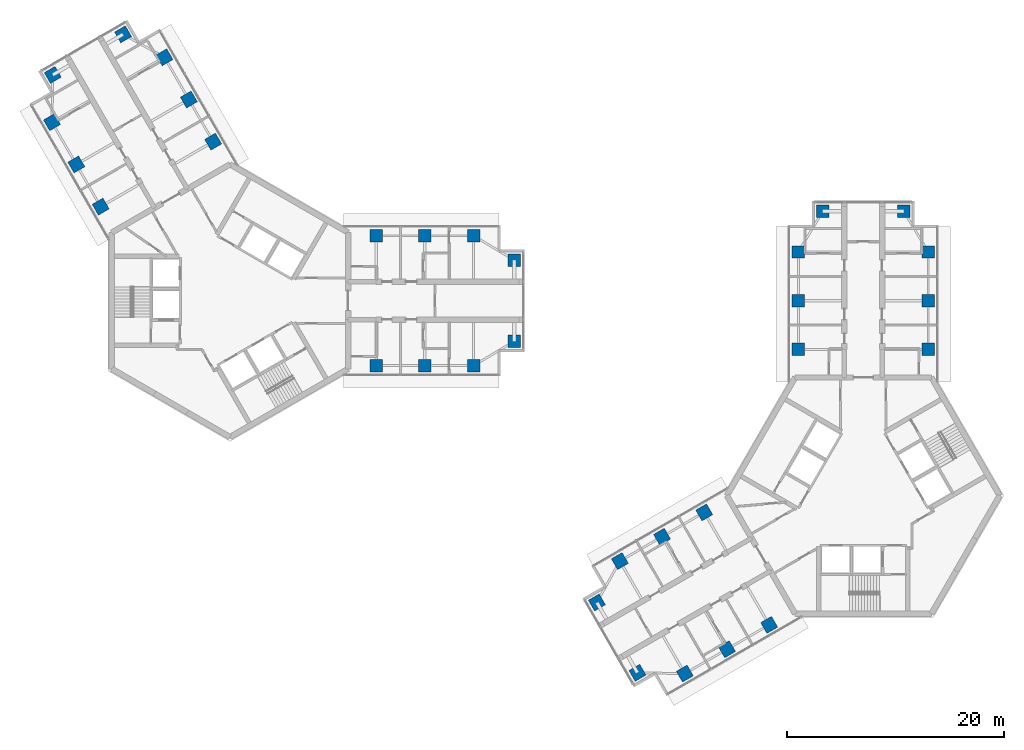
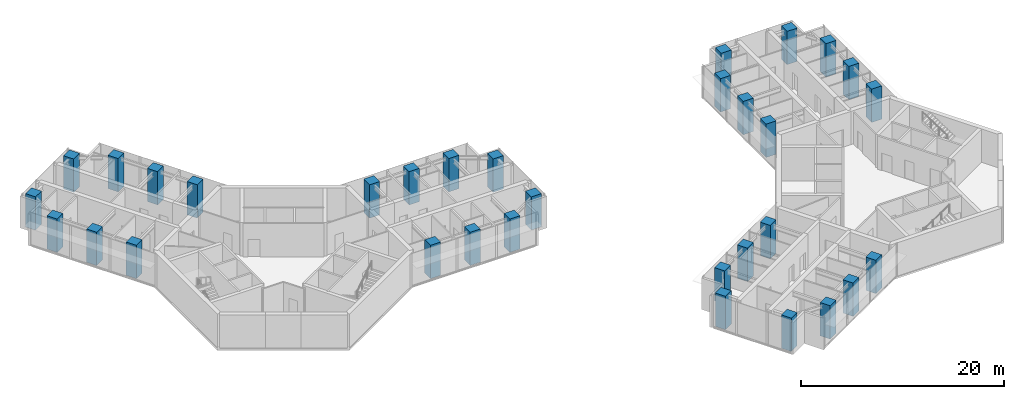
# One storey, part 1 of 17: 32 columns.
"""IFC4 building model written with IfcOpenShell, lengths in metres."""

from ifc_helpers import new_model, si_unit, direction, frame, origin, origin_2d, place, context, subcontext, project, spatial, rectangle, extrude, material, material_profile, profile_set, type_object, element, save


model = new_model("IFC4")

# Units and contexts
model_context = context("Model", 3, precision=1e-05, world=origin(), true_north=direction((0.0, 1.0)))
body_context = subcontext(model_context, "Body", "Model", "MODEL_VIEW")
ifc_project = project(units=[si_unit("LENGTHUNIT", "METRE"), si_unit("AREAUNIT", "SQUARE_METRE"), si_unit("VOLUMEUNIT", "CUBIC_METRE"), si_unit("PLANEANGLEUNIT", "RADIAN"), si_unit("MASSUNIT", "GRAM", prefix="KILO")], contexts=[model_context])

# Site, building, storey
site_placement = place(None, origin())
site = spatial("IfcSite", under=ifc_project, at=site_placement, CompositionType="ELEMENT")
building_placement = place(site_placement, origin())
building = spatial("IfcBuilding", under=site, at=building_placement, Name="Upepo Twin Towers", CompositionType="ELEMENT")
storey_placement = place(building_placement, frame((0.0, 0.0, 210.5)))
storey = spatial("IfcBuildingStorey", under=building, at=storey_placement, Name="L51", CompositionType="ELEMENT", Elevation=210.5)

# Columns
ifc_material = material(Name="Concrete C60/75", Category="concrete")
ifc_material_profile = material_profile(ifc_material, rectangle(XDim=1.14990234375, YDim=1.14990234375, at=origin_2d()), Name="RC 1150x1150")
ifc_profile_set = profile_set([ifc_material_profile], Name="Concrete C60/75")
column_type = type_object("IfcColumnType", Name="Tower column RC 1150x1150", PredefinedType="COLUMN", material=ifc_profile_set)
for number, where, z_axis, x_axis, name in (
    (1, (13.5, 6.0, 0.0), (0.0, 0.0, 1.0), (1.0, 0.0, 0.0), "T1 column AL135"),
    (2, (13.5, -6.0, 0.0), (0.0, 0.0, 1.0), (1.0, 0.0, 0.0), "T1 column AR135"),
    (3, (18.0, 6.0, 0.0), (0.0, 0.0, 1.0), (1.0, 0.0, 0.0), "T1 column AL180"),
    (4, (18.0, -6.0, 0.0), (0.0, 0.0, 1.0), (1.0, 0.0, 0.0), "T1 column AR180"),
    (5, (22.5, 6.0, 0.0), (0.0, 0.0, 1.0), (1.0, 0.0, 0.0), "T1 column AL225"),
    (6, (22.5, -6.0, 0.0), (0.0, 0.0, 1.0), (1.0, 0.0, 0.0), "T1 column AR225"),
    (7, (26.25, 3.75, 0.0), (0.0, 0.0, 1.0), (1.0, 0.0, 0.0), "T1 column ALN"),
    (8, (26.25, -3.75, 0.0), (0.0, 0.0, 1.0), (1.0, 0.0, 0.0), "T1 column ARN"),
    (9, (-11.946044921875, 8.69140625, 0.0), (0.0, 0.0, 1.0), (0.866025403784, 0.5, 0.0), "T1 column BL135"),
    (10, (-1.553955078125, 14.69140625, 0.0), (0.0, 0.0, 1.0), (0.866025403784, 0.5, 0.0), "T1 column BR135"),
    (11, (-14.196044921875, 12.58837890625, 0.0), (0.0, 0.0, 1.0), (0.866025403784, 0.5, 0.0), "T1 column BL180"),
    (12, (-3.803955078125, 18.58837890625, 0.0), (0.0, 0.0, 1.0), (0.866025403784, 0.5, 0.0), "T1 column BR180"),
    (13, (-16.446044921875, 16.485595703125, 0.0), (0.0, 0.0, 1.0), (0.866025403784, 0.5, 0.0), "T1 column BL225"),
    (14, (-6.053955078125, 22.485595703125, 0.0), (0.0, 0.0, 1.0), (0.866025403784, 0.5, 0.0), "T1 column BR225"),
    (15, (-16.37255859375, 20.858154296875, 0.0), (0.0, 0.0, 1.0), (0.866025403784, 0.5, 0.0), "T1 column BLN"),
    (16, (-9.87744140625, 24.608154296875, 0.0), (0.0, 0.0, 1.0), (0.866025403784, 0.5, 0.0), "T1 column BRN"),
    (17, (52.5, -4.5, 0.0), (0.0, 0.0, 1.0), (1.0, 0.0, 0.0), "T2 column AL135"),
    (18, (64.5, -4.5, 0.0), (0.0, 0.0, 1.0), (1.0, 0.0, 0.0), "T2 column AR135"),
    (19, (52.5, 0.0, 0.0), (0.0, 0.0, 1.0), (1.0, 0.0, 0.0), "T2 column AL180"),
    (20, (64.5, 0.0, 0.0), (0.0, 0.0, 1.0), (1.0, 0.0, 0.0), "T2 column AR180"),
    (21, (52.5, 4.5, 0.0), (0.0, 0.0, 1.0), (1.0, 0.0, 0.0), "T2 column AL225"),
    (22, (64.5, 4.5, 0.0), (0.0, 0.0, 1.0), (1.0, 0.0, 0.0), "T2 column AR225"),
    (23, (54.75, 8.25, 0.0), (0.0, 0.0, 1.0), (1.0, 0.0, 0.0), "T2 column ALN"),
    (24, (62.25, 8.25, 0.0), (0.0, 0.0, 1.0), (1.0, 0.0, 0.0), "T2 column ARN"),
    (25, (49.80859375, -29.946044921875, 0.0), (0.0, 0.0, 1.0), (0.866025403784, 0.5, 0.0), "T2 column BL135"),
    (26, (43.80859375, -19.553955078125, 0.0), (0.0, 0.0, 1.0), (0.866025403784, 0.5, 0.0), "T2 column BR135"),
    (27, (45.91162109375, -32.196044921875, 0.0), (0.0, 0.0, 1.0), (0.866025403784, 0.5, 0.0), "T2 column BL180"),
    (28, (39.91162109375, -21.803955078125, 0.0), (0.0, 0.0, 1.0), (0.866025403784, 0.5, 0.0), "T2 column BR180"),
    (29, (42.014404296875, -34.446044921875, 0.0), (0.0, 0.0, 1.0), (0.866025403784, 0.5, 0.0), "T2 column BL225"),
    (30, (36.014404296875, -24.053955078125, 0.0), (0.0, 0.0, 1.0), (0.866025403784, 0.5, 0.0), "T2 column BR225"),
    (31, (37.641845703125, -34.37255859375, 0.0), (0.0, 0.0, 1.0), (0.866025403784, 0.5, 0.0), "T2 column BLN"),
    (32, (33.891845703125, -27.87744140625, 0.0), (0.0, 0.0, 1.0), (0.866025403784, 0.5, 0.0), "T2 column BRN"),
):
    element("IfcColumn", number, at=place(storey_placement, frame(where, z_axis=z_axis, x_axis=x_axis)), inside=storey, type_object=column_type, Name=name, PredefinedType="COLUMN", context=body_context, shape_type="SweptSolid", body=[
        extrude(rectangle(XDim=1.14990234375, YDim=1.14990234375, at=origin_2d()), origin(), (0.0, 0.0, 1.0), 4.0),
    ])

save(model, "model.ifc")
